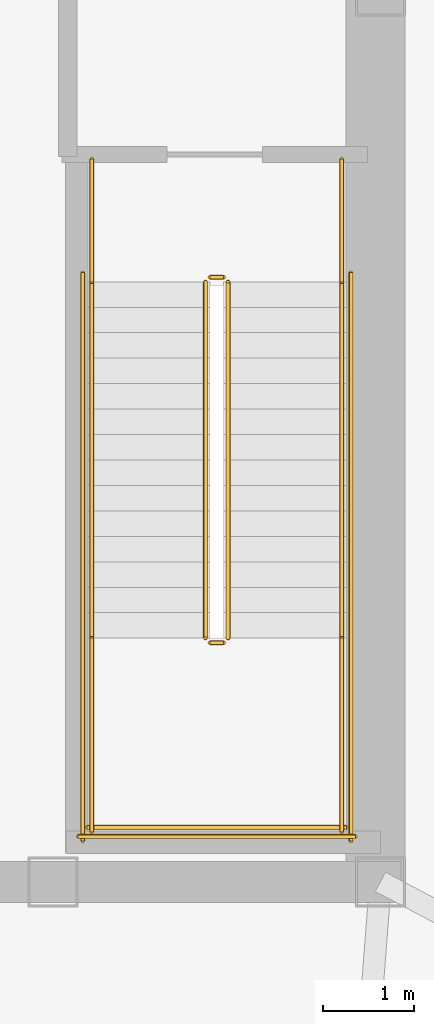
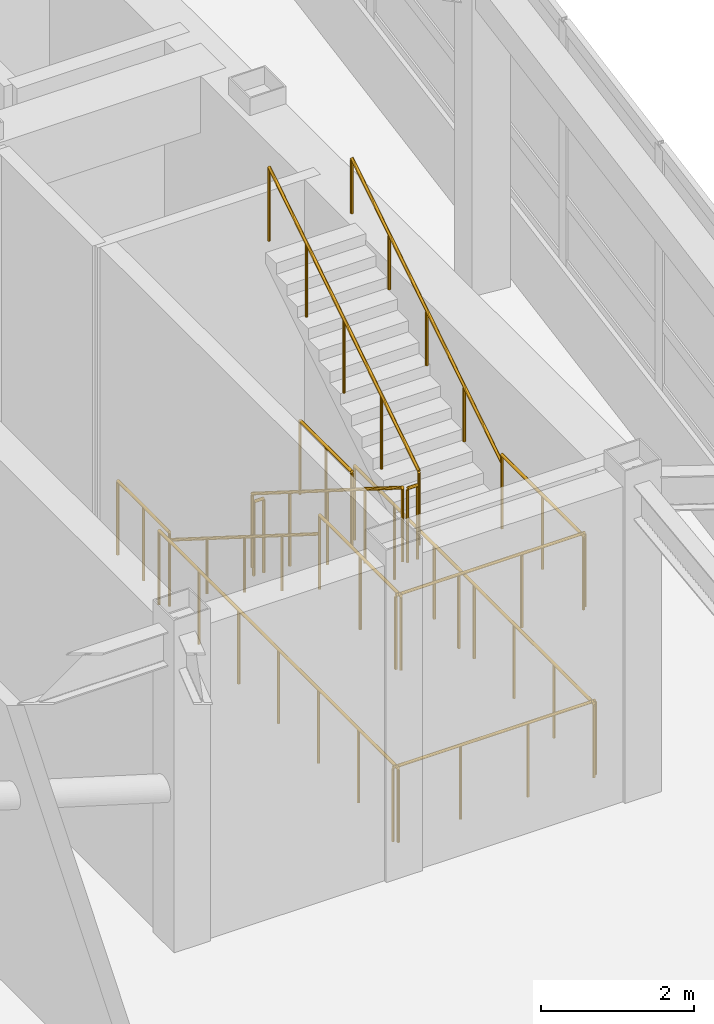
# One storey, part 23 of 23: 14 railings.
"""IFC4 building model written with IfcOpenShell, lengths in metres."""

import ifcopenshell
import ifcopenshell.guid

model = None  # the IFC model being written
_history = None  # IfcOwnerHistory: only IFC2X3 demands one
_inside = {}  # id of a spatial element -> (the spatial element, [elements in it])
_under = {}  # id of a project, library or spatial element -> (it, [spatial elements below it])
_declared = {}  # id of a project -> (the project, [libraries it declares])
_typed = {}  # id of a type object -> (the type object, [elements of that type])
_made_of = {}  # id of a material, layer set ... -> (it, [elements and type objects made of it])


def new_model(schema):
    """Start an empty IFC model of exactly this schema.

    Asked for "IFC4X3", IfcOpenShell would pick the latest addendum, in which some entities
    have other attributes; the version numbers below select the first issue.
    IFC2X3 requires an IfcOwnerHistory on every rooted entity: one is made here for all.
    """
    global model, _history
    if schema == "IFC4X3":
        model = ifcopenshell.file(schema_version=(4, 3, 0, 0))
    else:
        model = ifcopenshell.file(schema=schema)
    _inside.clear()
    _under.clear()
    _declared.clear()
    _typed.clear()
    _made_of.clear()
    _history = None
    if model.schema == "IFC2X3":
        org = make("IfcOrganization", Name="unknown")
        user = make(
            "IfcPersonAndOrganization",
            ThePerson=make("IfcPerson", FamilyName="unknown"),
            TheOrganization=org,
        )
        app = make(
            "IfcApplication",
            ApplicationDeveloper=org,
            Version="unknown",
            ApplicationFullName="unknown",
            ApplicationIdentifier="unknown",
        )
        _history = make(
            "IfcOwnerHistory",
            OwningUser=user,
            OwningApplication=app,
            ChangeAction="ADDED",
            CreationDate=0,
        )
    return model


def make(cls, **values):
    """One entity of the class cls with the attributes given. An attribute that is None is left unset."""
    return model.create_entity(
        cls, **{name: value for name, value in values.items() if value is not None}
    )


def rooted(cls, **values):
    """An entity with a GlobalId (a new one), such as an element, a storey or a relation."""
    return make(cls, GlobalId=ifcopenshell.guid.new(), OwnerHistory=_history, **values)


def si_unit(unit_type, name, prefix=None):
    """IfcSIUnit, for example si_unit("LENGTHUNIT", "METRE", prefix="MILLI")."""
    return make("IfcSIUnit", UnitType=unit_type, Prefix=prefix, Name=name)


def assignment(units):
    """IfcUnitAssignment: the units of a project."""
    return None if units is None else make("IfcUnitAssignment", Units=units)


def point(xyz):
    """IfcCartesianPoint."""
    return None if xyz is None else make("IfcCartesianPoint", Coordinates=xyz)


def direction(xyz):
    """IfcDirection."""
    return None if xyz is None else make("IfcDirection", DirectionRatios=xyz)


def frame(location, z_axis=None, x_axis=None):
    """IfcAxis2Placement3D, a coordinate frame: its origin and axes. An axis left out is left unset."""
    return make(
        "IfcAxis2Placement3D",
        Location=point(location),
        Axis=direction(z_axis),
        RefDirection=direction(x_axis),
    )


def frame_2d(location, x_axis=None):
    """IfcAxis2Placement2D, a coordinate frame in the plane: its origin and x axis."""
    return make(
        "IfcAxis2Placement2D", Location=point(location), RefDirection=direction(x_axis)
    )


def origin():
    """The frame at (0, 0, 0) with its axes left unset."""
    return frame((0.0, 0.0, 0.0))


def origin_2d():
    """The frame at (0, 0) in the plane with its x axis left unset."""
    return frame_2d((0.0, 0.0))


def place(relative_to, where):
    """IfcLocalPlacement: puts the frame where relative to a parent placement (None: the world)."""
    return make(
        "IfcLocalPlacement", PlacementRelTo=relative_to, RelativePlacement=where
    )


def context(
    kind, dimensions, precision=None, world=None, true_north=None, identifier=None
):
    """IfcGeometricRepresentationContext, for example the 3D "Model" context."""
    return make(
        "IfcGeometricRepresentationContext",
        ContextIdentifier=identifier,
        ContextType=kind,
        CoordinateSpaceDimension=dimensions,
        Precision=precision,
        WorldCoordinateSystem=world,
        TrueNorth=true_north,
    )


def subcontext(parent, identifier, kind, view, scale=None):
    """IfcGeometricRepresentationSubContext, for example "Body" below "Model"."""
    return make(
        "IfcGeometricRepresentationSubContext",
        ContextIdentifier=identifier,
        ContextType=kind,
        ParentContext=parent,
        TargetScale=scale,
        TargetView=view,
    )


def project(units=None, contexts=None):
    """IfcProject with its units and contexts."""
    return rooted(
        "IfcProject",
        Name="project",
        RepresentationContexts=contexts,
        UnitsInContext=assignment(units),
    )


def spatial(cls, under=None, at=None, **own):
    """A site, building, storey or space (cls), placed at a placement, below another one or the project."""
    s = rooted(cls, ObjectPlacement=at, **own)
    if under is not None:
        _under.setdefault(under.id(), (under, []))[1].append(s)
    return s


def profile(cls, at=None, kind="AREA", **sizes):
    """A parametric profile (cls). Its sizes go by their IFC names, for example OverallWidth=200.0."""
    return make(cls, ProfileType=kind, Position=at, **sizes)


def circle(**sizes):
    """IfcCircleProfileDef."""
    return profile("IfcCircleProfileDef", **sizes)


def extrude(swept, where, along, depth):
    """IfcExtrudedAreaSolid: the profile swept, set in the frame where, extruded along a direction by depth."""
    return make(
        "IfcExtrudedAreaSolid",
        SweptArea=swept,
        Position=where,
        ExtrudedDirection=direction(along),
        Depth=depth,
    )


def shape(context_of_items, identifier, shape_type, items):
    """IfcShapeRepresentation: the items that make up one representation, for example the "Body"."""
    return make(
        "IfcShapeRepresentation",
        ContextOfItems=context_of_items,
        RepresentationIdentifier=identifier,
        RepresentationType=shape_type,
        Items=items,
    )


def material(Name=None, Category=None):
    """IfcMaterial."""
    return make("IfcMaterial", Name=Name, Category=Category)


def made_of(thing, what):
    """Note that an element or type object is made of a material, layer set ...; save() writes the relation."""
    if what is not None:
        _made_of.setdefault(what.id(), (what, []))[1].append(thing)
    return thing


def type_object(cls, material=None, **own):
    """A type object (cls), such as IfcWallType, which elements share."""
    return made_of(rooted(cls, **own), material)


def element(
    cls,
    number,
    at=None,
    inside=None,
    cuts=None,
    type_object=None,
    material=None,
    context=None,
    identifier="Body",
    shape_type=None,
    held_by="IfcProductDefinitionShape",
    body=None,
    shapes=None,
    **own,
):
    """One element of the class cls, such as IfcWall. Its Tag is "e" and its number.

    at: its placement. inside: the storey or other place that contains it. cuts: it is an
    opening in that element (IfcRelVoidsElement). A single representation is given by context,
    identifier, shape_type and body (its items); several are given by shapes. held_by: the class
    of the entity that holds the representations. save() writes the other relations.
    """
    e = rooted(cls, Tag="e%d" % number, ObjectPlacement=at, **own)
    if body is not None:
        shapes = [shape(context, identifier, shape_type, body)]
    if shapes is not None:
        e.Representation = make(held_by, Representations=shapes)
    if inside is not None:
        _inside.setdefault(inside.id(), (inside, []))[1].append(e)
    if cuts is not None:
        rooted(
            "IfcRelVoidsElement", RelatingBuildingElement=cuts, RelatedOpeningElement=e
        )
    if type_object is not None:
        _typed.setdefault(type_object.id(), (type_object, []))[1].append(e)
    return made_of(e, material)


def aggregate(whole, parts):
    """IfcRelAggregates: a whole, such as a stair, and the parts it consists of."""
    return rooted("IfcRelAggregates", RelatingObject=whole, RelatedObjects=parts)


def save(model, path):
    """Write the relations noted so far, then the file.

    IfcRelAggregates (storeys below a building ...), IfcRelContainedInSpatialStructure (elements
    in a storey), IfcRelDefinesByType, IfcRelAssociatesMaterial and IfcRelDeclares: one each for
    every whole, place, type object, material and project.
    """
    for whole, parts in _under.values():
        aggregate(whole, parts)
    for where, things in _inside.values():
        rooted(
            "IfcRelContainedInSpatialStructure",
            RelatedElements=things,
            RelatingStructure=where,
        )
    for kind, things in _typed.values():
        rooted("IfcRelDefinesByType", RelatedObjects=things, RelatingType=kind)
    for what, things in _made_of.values():
        rooted("IfcRelAssociatesMaterial", RelatedObjects=things, RelatingMaterial=what)
    for by, libraries in _declared.values():
        rooted("IfcRelDeclares", RelatingContext=by, RelatedDefinitions=libraries)
    model.write(path)


model = new_model("IFC4")

# Units and contexts
model_context = context("Model", 3, precision=1e-05, world=origin(), true_north=direction((0.0, 1.0)))
body_context = subcontext(model_context, "Body", "Model", "MODEL_VIEW")
ifc_project = project(units=[si_unit("LENGTHUNIT", "METRE"), si_unit("AREAUNIT", "SQUARE_METRE"), si_unit("VOLUMEUNIT", "CUBIC_METRE"), si_unit("PLANEANGLEUNIT", "RADIAN"), si_unit("MASSUNIT", "GRAM", prefix="KILO")], contexts=[model_context])

# Site, building, storey
site_placement = place(None, origin())
site = spatial("IfcSite", under=ifc_project, at=site_placement, CompositionType="ELEMENT")
building_placement = place(site_placement, origin())
building = spatial("IfcBuilding", under=site, at=building_placement, Name="Voryun Gate Residences", CompositionType="ELEMENT")
storey_placement = place(building_placement, frame((0.0, 0.0, 321.300048828125)))
storey = spatial("IfcBuildingStorey", under=building, at=storey_placement, Name="L79", CompositionType="ELEMENT", Elevation=321.300048828125)

# Railings
ifc_material_1 = material(Name="Painted steel", Category="steel")
railing_type_1 = type_object("IfcRailingType", Name="RAIL_STAIR_GUARD_1200", PredefinedType="GUARDRAIL", material=ifc_material_1)
railing_1_placement = place(storey_placement, frame((17.27490234375, -0.800048828125, 0.176513671875)))
element("IfcRailing", 1, at=railing_1_placement, inside=storey, type_object=railing_type_1, Name="L79 ST-E1 stair guard 1", PredefinedType="GUARDRAIL", context=body_context, shape_type="SweptSolid", body=[
    extrude(circle(Radius=0.02392578125, at=origin_2d()), frame((0.0, 0.0, 1.17578125), z_axis=(0.0, -0.845717874625, 0.533630280756), x_axis=(1.0, 0.0, 0.0)), (0.0, 0.0, 1.0), 4.635009765625),
    extrude(circle(Radius=0.02099609375, at=origin_2d()), origin(), (0.0, 0.0, 1.0), 1.15185546875),
    extrude(circle(Radius=0.02099609375, at=origin_2d()), frame((0.0, -0.97998046875, 0.618408203125)), (0.0, 0.0, 1.0), 1.15185546875),
    extrude(circle(Radius=0.02099609375, at=origin_2d()), frame((0.0, -1.9599609375, 1.23681640625)), (0.0, 0.0, 1.0), 1.15185546875),
    extrude(circle(Radius=0.02099609375, at=origin_2d()), frame((0.0, -2.93994140625, 1.85498046875)), (0.0, 0.0, 1.0), 1.15185546875),
    extrude(circle(Radius=0.02099609375, at=origin_2d()), frame((0.0, -3.919921875, 2.473388671875)), (0.0, 0.0, 1.0), 1.15185546875),
])
railing_2_placement = place(storey_placement, frame((17.324951171875, -4.77001953125, 2.64990234375)))
element("IfcRailing", 2, at=railing_2_placement, inside=storey, type_object=railing_type_1, Name="L79 ST-E1 stair guard 2", PredefinedType="GUARDRAIL", context=body_context, shape_type="SweptSolid", body=[
    extrude(circle(Radius=0.02392578125, at=origin_2d()), frame((0.0, 0.0, 1.17578125), z_axis=(1.0, 0.0, 0.0), x_axis=(0.0, 1.0, 0.0)), (0.0, 0.0, 1.0), 0.150146484375),
    extrude(circle(Radius=0.02099609375, at=origin_2d()), origin(), (0.0, 0.0, 1.0), 1.15185546875),
    extrude(circle(Radius=0.02099609375, at=origin_2d()), frame((0.150146484375, 0.0, 0.0)), (0.0, 0.0, 1.0), 1.15185546875),
])
for number, where, name in (
    (3, (16.02490234375, -4.719970703125, 2.64990234375), "L79 ST-E1 stair guard 3"),
    (4, (18.77490234375, -4.719970703125, 2.64990234375), "L79 ST-E1 stair guard 4"),
):
    element("IfcRailing", number, at=place(storey_placement, frame(where)), inside=storey, type_object=railing_type_1, Name=name, PredefinedType="GUARDRAIL", context=body_context, shape_type="SweptSolid", body=[
        extrude(circle(Radius=0.02392578125, at=origin_2d()), frame((0.0, 0.0, 1.17578125), z_axis=(0.0, -1.0, 0.0), x_axis=(1.0, 0.0, 0.0)), (0.0, 0.0, 1.0), 2.130126953125),
        extrude(circle(Radius=0.02099609375, at=origin_2d()), origin(), (0.0, 0.0, 1.0), 1.15185546875),
        extrude(circle(Radius=0.02099609375, at=origin_2d()), frame((0.0, -1.06494140625, 0.0)), (0.0, 0.0, 1.0), 1.15185546875),
        extrude(circle(Radius=0.02099609375, at=origin_2d()), frame((0.0, -2.130126953125, 0.0)), (0.0, 0.0, 1.0), 1.15185546875),
    ])
railing_3_placement = place(storey_placement, frame((15.97509765625, -6.800048828125, 2.64990234375)))
element("IfcRailing", 5, at=railing_3_placement, inside=storey, type_object=railing_type_1, Name="L79 ST-E1 stair guard 5", PredefinedType="GUARDRAIL", context=body_context, shape_type="SweptSolid", body=[
    extrude(circle(Radius=0.02392578125, at=origin_2d()), frame((0.0, 0.0, 1.17578125), z_axis=(1.0, 0.0, 0.0), x_axis=(0.0, 1.0, 0.0)), (0.0, 0.0, 1.0), 2.849853515625),
    extrude(circle(Radius=0.02099609375, at=origin_2d()), origin(), (0.0, 0.0, 1.0), 1.15185546875),
    extrude(circle(Radius=0.02099609375, at=origin_2d()), frame((0.949951171875, 0.0, 0.0)), (0.0, 0.0, 1.0), 1.15185546875),
    extrude(circle(Radius=0.02099609375, at=origin_2d()), frame((1.89990234375, 0.0, 0.0)), (0.0, 0.0, 1.0), 1.15185546875),
    extrude(circle(Radius=0.02099609375, at=origin_2d()), frame((2.849853515625, 0.0, 0.0)), (0.0, 0.0, 1.0), 1.15185546875),
])
railing_4_placement = place(storey_placement, frame((17.52490234375, -4.719970703125, 2.82666015625)))
element("IfcRailing", 6, at=railing_4_placement, inside=storey, type_object=railing_type_1, Name="L79 ST-E1 stair guard 6", PredefinedType="GUARDRAIL", context=body_context, shape_type="SweptSolid", body=[
    extrude(circle(Radius=0.02392578125, at=origin_2d()), frame((0.0, 0.0, 1.17578125), z_axis=(0.0, 0.845717874625, 0.533630280756), x_axis=(-1.0, 0.0, 0.0)), (0.0, 0.0, 1.0), 4.635009765625),
    extrude(circle(Radius=0.02099609375, at=origin_2d()), origin(), (0.0, 0.0, 1.0), 1.15185546875),
    extrude(circle(Radius=0.02099609375, at=origin_2d()), frame((0.0, 0.97998046875, 0.618408203125)), (0.0, 0.0, 1.0), 1.15185546875),
    extrude(circle(Radius=0.02099609375, at=origin_2d()), frame((0.0, 1.9599609375, 1.23681640625)), (0.0, 0.0, 1.0), 1.15185546875),
    extrude(circle(Radius=0.02099609375, at=origin_2d()), frame((0.0, 2.93994140625, 1.85498046875)), (0.0, 0.0, 1.0), 1.15185546875),
    extrude(circle(Radius=0.02099609375, at=origin_2d()), frame((0.0, 3.919921875, 2.473388671875)), (0.0, 0.0, 1.0), 1.15185546875),
])
railing_5_placement = place(storey_placement, frame((17.324951171875, -0.75, 0.0)))
element("IfcRailing", 7, at=railing_5_placement, inside=storey, type_object=railing_type_1, Name="L79 ST-E1 stair guard 7", PredefinedType="GUARDRAIL", context=body_context, shape_type="SweptSolid", body=[
    extrude(circle(Radius=0.02392578125, at=origin_2d()), frame((0.0, 0.0, 1.17578125), z_axis=(1.0, 0.0, 0.0), x_axis=(0.0, 1.0, 0.0)), (0.0, 0.0, 1.0), 0.150146484375),
    extrude(circle(Radius=0.02099609375, at=origin_2d()), origin(), (0.0, 0.0, 1.0), 1.15185546875),
    extrude(circle(Radius=0.02099609375, at=origin_2d()), frame((0.150146484375, 0.0, 0.0)), (0.0, 0.0, 1.0), 1.15185546875),
])
for number, where, name in (
    (8, (16.02490234375, 0.550048828125, 0.0), "L79 ST-E1 stair guard 8"),
    (9, (18.77490234375, 0.550048828125, 0.0), "L79 ST-E1 stair guard 9"),
):
    element("IfcRailing", number, at=place(storey_placement, frame(where)), inside=storey, type_object=railing_type_1, Name=name, PredefinedType="GUARDRAIL", context=body_context, shape_type="SweptSolid", body=[
        extrude(circle(Radius=0.02392578125, at=origin_2d()), frame((0.0, 0.0, 1.17578125), z_axis=(0.0, -1.0, 0.0), x_axis=(1.0, 0.0, 0.0)), (0.0, 0.0, 1.0), 1.35009765625),
        extrude(circle(Radius=0.02099609375, at=origin_2d()), origin(), (0.0, 0.0, 1.0), 1.15185546875),
        extrude(circle(Radius=0.02099609375, at=origin_2d()), frame((0.0, -0.675048828125, 0.0)), (0.0, 0.0, 1.0), 1.15185546875),
        extrude(circle(Radius=0.02099609375, at=origin_2d()), frame((0.0, -1.35009765625, 0.0)), (0.0, 0.0, 1.0), 1.15185546875),
    ])
for number, where, name in (
    (10, (15.925048828125, -0.699951171875, 0.0), "L79 ST-E1 stair guard 10"),
    (11, (18.875, -0.699951171875, 0.0), "L79 ST-E1 stair guard 11"),
):
    element("IfcRailing", number, at=place(storey_placement, frame(where)), inside=storey, type_object=railing_type_1, Name=name, PredefinedType="GUARDRAIL", context=body_context, shape_type="SweptSolid", body=[
        extrude(circle(Radius=0.02392578125, at=origin_2d()), frame((0.0, 0.0, 1.17578125), z_axis=(0.0, -1.0, 0.0), x_axis=(1.0, 0.0, 0.0)), (0.0, 0.0, 1.0), 6.25),
        extrude(circle(Radius=0.02099609375, at=origin_2d()), origin(), (0.0, 0.0, 1.0), 1.15185546875),
        extrude(circle(Radius=0.02099609375, at=origin_2d()), frame((0.0, -1.041748046875, 0.0)), (0.0, 0.0, 1.0), 1.15185546875),
        extrude(circle(Radius=0.02099609375, at=origin_2d()), frame((0.0, -2.083251953125, 0.0)), (0.0, 0.0, 1.0), 1.15185546875),
        extrude(circle(Radius=0.02099609375, at=origin_2d()), frame((0.0, -3.125, 0.0)), (0.0, 0.0, 1.0), 1.15185546875),
        extrude(circle(Radius=0.02099609375, at=origin_2d()), frame((0.0, -4.166748046875, 0.0)), (0.0, 0.0, 1.0), 1.15185546875),
        extrude(circle(Radius=0.02099609375, at=origin_2d()), frame((0.0, -5.208251953125, 0.0)), (0.0, 0.0, 1.0), 1.15185546875),
        extrude(circle(Radius=0.02099609375, at=origin_2d()), frame((0.0, -6.25, 0.0)), (0.0, 0.0, 1.0), 1.15185546875),
    ])
railing_6_placement = place(storey_placement, frame((15.875, -6.89990234375, 0.0)))
element("IfcRailing", 12, at=railing_6_placement, inside=storey, type_object=railing_type_1, Name="L79 ST-E1 stair guard 12", PredefinedType="GUARDRAIL", context=body_context, shape_type="SweptSolid", body=[
    extrude(circle(Radius=0.02392578125, at=origin_2d()), frame((0.0, 0.0, 1.17578125), z_axis=(1.0, 0.0, 0.0), x_axis=(0.0, 1.0, 0.0)), (0.0, 0.0, 1.0), 3.050048828125),
    extrude(circle(Radius=0.02099609375, at=origin_2d()), origin(), (0.0, 0.0, 1.0), 1.15185546875),
    extrude(circle(Radius=0.02099609375, at=origin_2d()), frame((1.0166015625, 0.0, 0.0)), (0.0, 0.0, 1.0), 1.15185546875),
    extrude(circle(Radius=0.02099609375, at=origin_2d()), frame((2.033447265625, 0.0, 0.0)), (0.0, 0.0, 1.0), 1.15185546875),
    extrude(circle(Radius=0.02099609375, at=origin_2d()), frame((3.050048828125, 0.0, 0.0)), (0.0, 0.0, 1.0), 1.15185546875),
])
ifc_material_2 = material(Name="Painted steel", Category="steel")
railing_type_2 = type_object("IfcRailingType", Name="RAIL_STAIR_HANDRAIL_900", PredefinedType="HANDRAIL", material=ifc_material_2)
railing_7_placement = place(storey_placement, frame((16.02490234375, -0.800048828125, 0.176513671875)))
element("IfcRailing", 13, at=railing_7_placement, inside=storey, type_object=railing_type_2, Name="L79 ST-E1 stair handrail 1", PredefinedType="HANDRAIL", context=body_context, shape_type="SweptSolid", body=[
    extrude(circle(Radius=0.02392578125, at=origin_2d()), frame((0.0, 0.0, 0.8759765625), z_axis=(0.0, -0.845717874625, 0.533630280756), x_axis=(1.0, 0.0, 0.0)), (0.0, 0.0, 1.0), 4.635009765625),
    extrude(circle(Radius=0.02099609375, at=origin_2d()), origin(), (0.0, 0.0, 1.0), 0.851806640625),
    extrude(circle(Radius=0.02099609375, at=origin_2d()), frame((0.0, -0.97998046875, 0.618408203125)), (0.0, 0.0, 1.0), 0.851806640625),
    extrude(circle(Radius=0.02099609375, at=origin_2d()), frame((0.0, -1.9599609375, 1.23681640625)), (0.0, 0.0, 1.0), 0.851806640625),
    extrude(circle(Radius=0.02099609375, at=origin_2d()), frame((0.0, -2.93994140625, 1.85498046875)), (0.0, 0.0, 1.0), 0.851806640625),
    extrude(circle(Radius=0.02099609375, at=origin_2d()), frame((0.0, -3.919921875, 2.473388671875)), (0.0, 0.0, 1.0), 0.851806640625),
])
railing_8_placement = place(storey_placement, frame((18.77490234375, -4.719970703125, 2.82666015625)))
element("IfcRailing", 14, at=railing_8_placement, inside=storey, type_object=railing_type_2, Name="L79 ST-E1 stair handrail 2", PredefinedType="HANDRAIL", context=body_context, shape_type="SweptSolid", body=[
    extrude(circle(Radius=0.02392578125, at=origin_2d()), frame((0.0, 0.0, 0.8759765625), z_axis=(0.0, 0.845717874625, 0.533630280756), x_axis=(-1.0, 0.0, 0.0)), (0.0, 0.0, 1.0), 4.635009765625),
    extrude(circle(Radius=0.02099609375, at=origin_2d()), origin(), (0.0, 0.0, 1.0), 0.851806640625),
    extrude(circle(Radius=0.02099609375, at=origin_2d()), frame((0.0, 0.97998046875, 0.618408203125)), (0.0, 0.0, 1.0), 0.851806640625),
    extrude(circle(Radius=0.02099609375, at=origin_2d()), frame((0.0, 1.9599609375, 1.23681640625)), (0.0, 0.0, 1.0), 0.851806640625),
    extrude(circle(Radius=0.02099609375, at=origin_2d()), frame((0.0, 2.93994140625, 1.85498046875)), (0.0, 0.0, 1.0), 0.851806640625),
    extrude(circle(Radius=0.02099609375, at=origin_2d()), frame((0.0, 3.919921875, 2.473388671875)), (0.0, 0.0, 1.0), 0.851806640625),
])

save(model, "model.ifc")
